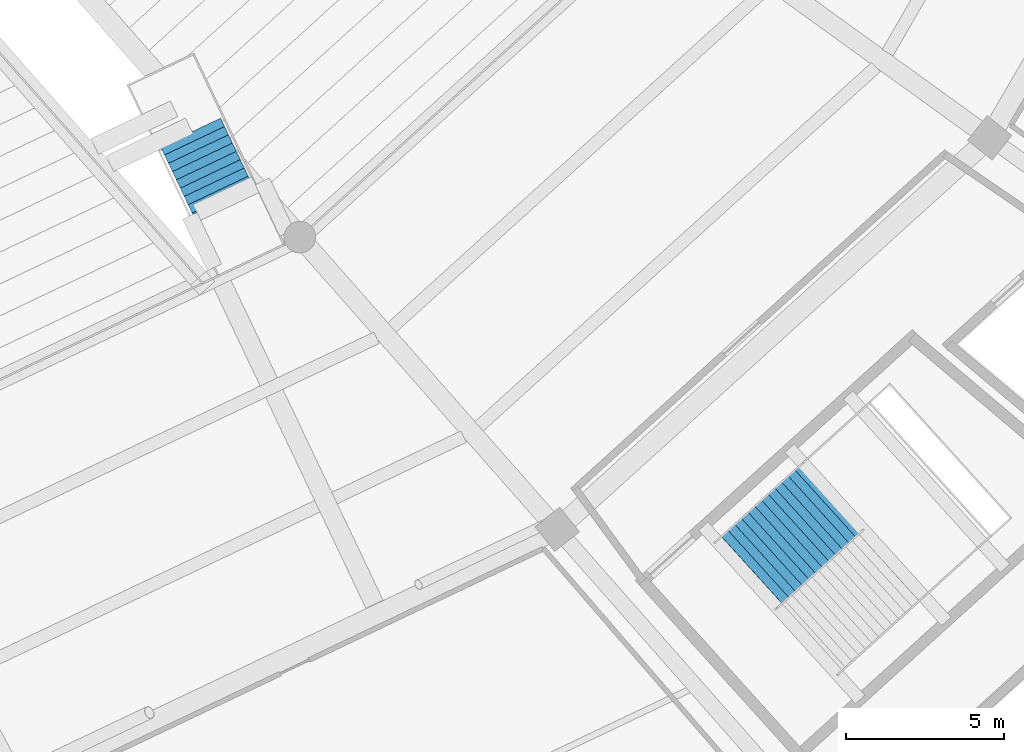
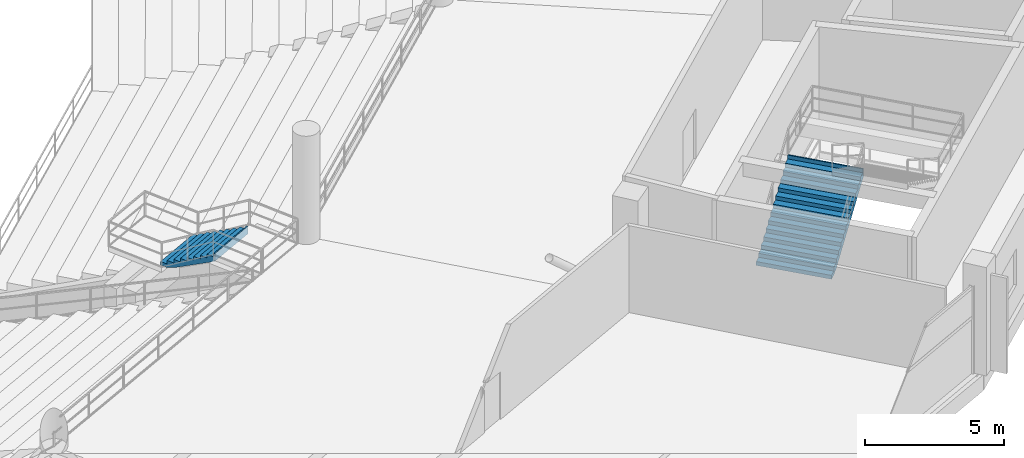
# One storey, part 126 of 156: 2 stair flights, 2 elements without a shape of their own.
"""IFC4 building model written with IfcOpenShell, lengths in metres."""

from ifc_helpers import new_model, si_unit, direction, frame, origin, place, context, subcontext, project, spatial, polygons, material, type_object, element, aggregate, save


model = new_model("IFC4")

# Units and contexts
model_context = context("Model", 3, precision=1e-05, world=origin(), true_north=direction((0.0, 1.0)))
body_context = subcontext(model_context, "Body", "Model", "MODEL_VIEW")
ifc_project = project(units=[si_unit("LENGTHUNIT", "METRE"), si_unit("AREAUNIT", "SQUARE_METRE"), si_unit("VOLUMEUNIT", "CUBIC_METRE"), si_unit("PLANEANGLEUNIT", "RADIAN"), si_unit("MASSUNIT", "GRAM", prefix="KILO")], contexts=[model_context])

# Site, building, storey
site_placement = place(None, origin())
site = spatial("IfcSite", under=ifc_project, at=site_placement, CompositionType="ELEMENT")
building_placement = place(site_placement, origin())
building = spatial("IfcBuilding", under=site, at=building_placement, Name="Kazemori Nagisa Stadium", CompositionType="ELEMENT")
storey_placement = place(building_placement, frame((0.0, 0.0, 5.780029296875)))
storey = spatial("IfcBuildingStorey", under=building, at=storey_placement, Name="L01", CompositionType="ELEMENT", Elevation=5.780029296875)

# Stair, stair flight
ifc_material = material(Name="Concrete C36/45 (Fc36)", Category="concrete")
stair_type_1 = type_object("IfcStairType", Name="Stair_CORE_28", PredefinedType="TWO_STRAIGHT_RUN_STAIR", material=ifc_material)
stair_1_placement = place(storey_placement, origin())
stair_1 = element("IfcStair", 1, at=stair_1_placement, inside=storey, type_object=stair_type_1, Name="Exit stair ST04 L01", PredefinedType="TWO_STRAIGHT_RUN_STAIR")
stair_flight_type_1 = type_object("IfcStairFlightType", Name="Flight_CORE_14", PredefinedType="STRAIGHT", material=ifc_material)
stair_flight_1_placement = place(storey_placement, frame((182.77587890625, 39.410400390625, 0.0), z_axis=(0.0, 0.0, 1.0), x_axis=(0.741324991793, 0.671146225903, 0.0)))
stair_flight_1 = element("IfcStairFlight", 2, at=stair_flight_1_placement, type_object=stair_flight_type_1, Name="Exit stair ST04 L01 flight 1", NumberOfRisers=14, NumberOfTreads=13, PredefinedType="STRAIGHT", RiserHeight=0.17, TreadLength=0.285, context=body_context, shape_type="Tessellation", body=[
    polygons([(0.0, -1.425048828125, 0.0), (0.0, -1.425048828125, 0.169921875), (0.284912109375, -1.425048828125, 0.169921875), (0.284912109375, -1.425048828125, 0.340087890625), (0.570068359375, -1.425048828125, 0.340087890625), (0.570068359375, -1.425048828125, 0.510009765625), (0.85498046875, -1.425048828125, 0.510009765625), (0.85498046875, -1.425048828125, 0.679931640625), (1.139892578125, -1.425048828125, 0.679931640625), (1.139892578125, -1.425048828125, 0.85009765625), (1.425048828125, -1.425048828125, 0.85009765625), (1.425048828125, -1.425048828125, 1.02001953125), (1.7099609375, -1.425048828125, 1.02001953125), (1.7099609375, -1.425048828125, 1.18994140625), (1.9951171875, -1.425048828125, 1.18994140625), (1.9951171875, -1.425048828125, 1.360107421875), (2.280029296875, -1.425048828125, 1.360107421875), (2.280029296875, -1.425048828125, 1.530029296875), (2.56494140625, -1.425048828125, 1.530029296875), (2.56494140625, -1.425048828125, 1.699951171875), (2.85009765625, -1.425048828125, 1.699951171875), (2.85009765625, -1.425048828125, 1.8701171875), (3.135009765625, -1.425048828125, 1.8701171875), (3.135009765625, -1.425048828125, 2.0400390625), (3.419921875, -1.425048828125, 2.0400390625), (3.419921875, -1.425048828125, 2.2099609375), (3.705078125, -1.425048828125, 2.2099609375), (3.705078125, -1.425048828125, 2.3798828125), (3.7548828125, -1.425048828125, 2.3798828125), (3.7548828125, -1.425048828125, 2.007080078125), (3.705078125, -1.425048828125, 1.977294921875), (3.419921875, -1.425048828125, 1.80712890625), (3.135009765625, -1.425048828125, 1.63720703125), (2.85009765625, -1.425048828125, 1.46728515625), (2.56494140625, -1.425048828125, 1.297119140625), (2.280029296875, -1.425048828125, 1.127197265625), (1.9951171875, -1.425048828125, 0.957275390625), (1.7099609375, -1.425048828125, 0.787109375), (1.425048828125, -1.425048828125, 0.6171875), (1.139892578125, -1.425048828125, 0.447265625), (0.85498046875, -1.425048828125, 0.277099609375), (0.570068359375, -1.425048828125, 0.107177734375), (0.284912109375, -1.425048828125, 0.0), (0.0, -0.08544921875, 0.0), (0.0, -0.08544921875, 0.169921875), (0.284912109375, -0.08544921875, 0.169921875), (0.284912109375, -0.08544921875, 0.340087890625), (0.570068359375, -0.08544921875, 0.340087890625), (0.570068359375, -0.08544921875, 0.510009765625), (0.85498046875, -0.08544921875, 0.510009765625), (0.85498046875, -0.08544921875, 0.679931640625), (1.139892578125, -0.08544921875, 0.679931640625), (1.139892578125, -0.08544921875, 0.85009765625), (1.425048828125, -0.08544921875, 0.85009765625), (1.425048828125, -0.08544921875, 1.02001953125), (1.7099609375, -0.08544921875, 1.02001953125), (1.7099609375, -0.08544921875, 1.18994140625), (1.9951171875, -0.08544921875, 1.18994140625), (1.9951171875, -0.08544921875, 1.360107421875), (2.280029296875, -0.08544921875, 1.360107421875), (2.280029296875, -0.08544921875, 1.530029296875), (2.56494140625, -0.08544921875, 1.530029296875), (2.56494140625, -0.08544921875, 1.699951171875), (2.85009765625, -0.08544921875, 1.699951171875), (2.85009765625, -0.08544921875, 1.8701171875), (3.135009765625, -0.08544921875, 1.8701171875), (3.135009765625, -0.08544921875, 2.0400390625), (3.419921875, -0.08544921875, 2.0400390625), (3.419921875, -0.08544921875, 2.2099609375), (3.705078125, -0.08544921875, 2.2099609375), (3.705078125, -0.08544921875, 2.3798828125), (3.7548828125, -0.08544921875, 2.3798828125), (3.7548828125, -0.08544921875, 2.007080078125), (3.705078125, -0.08544921875, 1.977294921875), (3.419921875, -0.08544921875, 1.80712890625), (3.135009765625, -0.08544921875, 1.63720703125), (2.85009765625, -0.08544921875, 1.46728515625), (2.56494140625, -0.08544921875, 1.297119140625), (2.280029296875, -0.08544921875, 1.127197265625), (1.9951171875, -0.08544921875, 0.957275390625), (1.7099609375, -0.08544921875, 0.787109375), (1.425048828125, -0.08544921875, 0.6171875), (1.139892578125, -0.08544921875, 0.447265625), (0.85498046875, -0.08544921875, 0.277099609375), (0.570068359375, -0.08544921875, 0.107177734375), (0.284912109375, -0.08544921875, 0.0), (0.0, 0.0, 0.0), (0.0, 0.0, 0.169921875), (0.284912109375, 0.0, 0.169921875), (0.284912109375, 0.0, 0.340087890625), (0.570068359375, 0.0, 0.340087890625), (0.570068359375, 0.0, 0.510009765625), (0.85498046875, 0.0, 0.510009765625), (0.85498046875, 0.0, 0.679931640625), (1.139892578125, 0.0, 0.679931640625), (1.139892578125, 0.0, 0.85009765625), (1.425048828125, 0.0, 0.85009765625), (1.425048828125, 0.0, 1.02001953125), (1.7099609375, 0.0, 1.02001953125), (1.7099609375, 0.0, 1.18994140625), (1.9951171875, 0.0, 1.18994140625), (1.9951171875, 0.0, 1.360107421875), (2.280029296875, 0.0, 1.360107421875), (2.280029296875, 0.0, 1.530029296875), (2.56494140625, 0.0, 1.530029296875), (2.56494140625, 0.0, 1.699951171875), (2.85009765625, 0.0, 1.699951171875), (2.85009765625, 0.0, 1.8701171875), (3.135009765625, 0.0, 1.8701171875), (3.135009765625, 0.0, 2.0400390625), (3.419921875, 0.0, 2.0400390625), (3.419921875, 0.0, 2.2099609375), (3.705078125, 0.0, 2.2099609375), (3.705078125, 0.0, 2.3798828125), (3.7548828125, 0.0, 2.3798828125), (3.7548828125, 0.0, 2.007080078125), (3.705078125, 0.0, 1.977294921875), (3.419921875, 0.0, 1.80712890625), (3.135009765625, 0.0, 1.63720703125), (2.85009765625, 0.0, 1.46728515625), (2.56494140625, 0.0, 1.297119140625), (2.280029296875, 0.0, 1.127197265625), (1.9951171875, 0.0, 0.957275390625), (1.7099609375, 0.0, 0.787109375), (1.425048828125, 0.0, 0.6171875), (1.139892578125, 0.0, 0.447265625), (0.85498046875, 0.0, 0.277099609375), (0.570068359375, 0.0, 0.107177734375), (0.284912109375, 0.0, 0.0), (0.0, 0.08544921875, 0.0), (0.0, 0.08544921875, 0.169921875), (0.284912109375, 0.08544921875, 0.169921875), (0.284912109375, 0.08544921875, 0.340087890625), (0.570068359375, 0.08544921875, 0.340087890625), (0.570068359375, 0.08544921875, 0.510009765625), (0.85498046875, 0.08544921875, 0.510009765625), (0.85498046875, 0.08544921875, 0.679931640625), (1.139892578125, 0.08544921875, 0.679931640625), (1.139892578125, 0.08544921875, 0.85009765625), (1.425048828125, 0.08544921875, 0.85009765625), (1.425048828125, 0.08544921875, 1.02001953125), (1.7099609375, 0.08544921875, 1.02001953125), (1.7099609375, 0.08544921875, 1.18994140625), (1.9951171875, 0.08544921875, 1.18994140625), (1.9951171875, 0.08544921875, 1.360107421875), (2.280029296875, 0.08544921875, 1.360107421875), (2.280029296875, 0.08544921875, 1.530029296875), (2.56494140625, 0.08544921875, 1.530029296875), (2.56494140625, 0.08544921875, 1.699951171875), (2.85009765625, 0.08544921875, 1.699951171875), (2.85009765625, 0.08544921875, 1.8701171875), (3.135009765625, 0.08544921875, 1.8701171875), (3.135009765625, 0.08544921875, 2.0400390625), (3.419921875, 0.08544921875, 2.0400390625), (3.419921875, 0.08544921875, 2.2099609375), (3.705078125, 0.08544921875, 2.2099609375), (3.705078125, 0.08544921875, 2.3798828125), (3.7548828125, 0.08544921875, 2.3798828125), (3.7548828125, 0.08544921875, 2.007080078125), (3.705078125, 0.08544921875, 1.977294921875), (3.419921875, 0.08544921875, 1.80712890625), (3.135009765625, 0.08544921875, 1.63720703125), (2.85009765625, 0.08544921875, 1.46728515625), (2.56494140625, 0.08544921875, 1.297119140625), (2.280029296875, 0.08544921875, 1.127197265625), (1.9951171875, 0.08544921875, 0.957275390625), (1.7099609375, 0.08544921875, 0.787109375), (1.425048828125, 0.08544921875, 0.6171875), (1.139892578125, 0.08544921875, 0.447265625), (0.85498046875, 0.08544921875, 0.277099609375), (0.570068359375, 0.08544921875, 0.107177734375), (0.284912109375, 0.08544921875, 0.0), (0.0, 1.425048828125, 0.0), (0.0, 1.425048828125, 0.169921875), (0.284912109375, 1.425048828125, 0.169921875), (0.284912109375, 1.425048828125, 0.340087890625), (0.570068359375, 1.425048828125, 0.340087890625), (0.570068359375, 1.425048828125, 0.510009765625), (0.85498046875, 1.425048828125, 0.510009765625), (0.85498046875, 1.425048828125, 0.679931640625), (1.139892578125, 1.425048828125, 0.679931640625), (1.139892578125, 1.425048828125, 0.85009765625), (1.425048828125, 1.425048828125, 0.85009765625), (1.425048828125, 1.425048828125, 1.02001953125), (1.7099609375, 1.425048828125, 1.02001953125), (1.7099609375, 1.425048828125, 1.18994140625), (1.9951171875, 1.425048828125, 1.18994140625), (1.9951171875, 1.425048828125, 1.360107421875), (2.280029296875, 1.425048828125, 1.360107421875), (2.280029296875, 1.425048828125, 1.530029296875), (2.56494140625, 1.425048828125, 1.530029296875), (2.56494140625, 1.425048828125, 1.699951171875), (2.85009765625, 1.425048828125, 1.699951171875), (2.85009765625, 1.425048828125, 1.8701171875), (3.135009765625, 1.425048828125, 1.8701171875), (3.135009765625, 1.425048828125, 2.0400390625), (3.419921875, 1.425048828125, 2.0400390625), (3.419921875, 1.425048828125, 2.2099609375), (3.705078125, 1.425048828125, 2.2099609375), (3.705078125, 1.425048828125, 2.3798828125), (3.7548828125, 1.425048828125, 2.3798828125), (3.7548828125, 1.425048828125, 2.007080078125), (3.705078125, 1.425048828125, 1.977294921875), (3.419921875, 1.425048828125, 1.80712890625), (3.135009765625, 1.425048828125, 1.63720703125), (2.85009765625, 1.425048828125, 1.46728515625), (2.56494140625, 1.425048828125, 1.297119140625), (2.280029296875, 1.425048828125, 1.127197265625), (1.9951171875, 1.425048828125, 0.957275390625), (1.7099609375, 1.425048828125, 0.787109375), (1.425048828125, 1.425048828125, 0.6171875), (1.139892578125, 1.425048828125, 0.447265625), (0.85498046875, 1.425048828125, 0.277099609375), (0.570068359375, 1.425048828125, 0.107177734375), (0.284912109375, 1.425048828125, 0.0)], [[[1, 2, 45]], [[1, 45, 44]], [[2, 3, 46]], [[2, 46, 45]], [[3, 4, 47]], [[3, 47, 46]], [[4, 5, 48]], [[4, 48, 47]], [[5, 6, 49]], [[5, 49, 48]], [[6, 7, 50]], [[6, 50, 49]], [[7, 8, 51]], [[7, 51, 50]], [[8, 9, 52]], [[8, 52, 51]], [[9, 10, 53]], [[9, 53, 52]], [[10, 11, 54]], [[10, 54, 53]], [[11, 12, 55]], [[11, 55, 54]], [[12, 13, 56]], [[12, 56, 55]], [[13, 14, 57]], [[13, 57, 56]], [[14, 15, 58]], [[14, 58, 57]], [[15, 16, 59]], [[15, 59, 58]], [[16, 17, 60]], [[16, 60, 59]], [[17, 18, 61]], [[17, 61, 60]], [[18, 19, 62]], [[18, 62, 61]], [[19, 20, 63]], [[19, 63, 62]], [[20, 21, 64]], [[20, 64, 63]], [[21, 22, 65]], [[21, 65, 64]], [[22, 23, 66]], [[22, 66, 65]], [[23, 24, 67]], [[23, 67, 66]], [[24, 25, 68]], [[24, 68, 67]], [[25, 26, 69]], [[25, 69, 68]], [[26, 27, 70]], [[26, 70, 69]], [[27, 28, 71]], [[27, 71, 70]], [[28, 29, 72]], [[28, 72, 71]], [[29, 30, 73]], [[29, 73, 72]], [[30, 31, 74]], [[30, 74, 73]], [[31, 32, 75]], [[31, 75, 74]], [[32, 33, 76]], [[32, 76, 75]], [[33, 34, 77]], [[33, 77, 76]], [[34, 35, 78]], [[34, 78, 77]], [[35, 36, 79]], [[35, 79, 78]], [[36, 37, 80]], [[36, 80, 79]], [[37, 38, 81]], [[37, 81, 80]], [[38, 39, 82]], [[38, 82, 81]], [[39, 40, 83]], [[39, 83, 82]], [[40, 41, 84]], [[40, 84, 83]], [[41, 42, 85]], [[41, 85, 84]], [[42, 43, 86]], [[42, 86, 85]], [[43, 1, 44]], [[43, 44, 86]], [[44, 45, 88]], [[44, 88, 87]], [[45, 46, 89]], [[45, 89, 88]], [[46, 47, 90]], [[46, 90, 89]], [[47, 48, 91]], [[47, 91, 90]], [[48, 49, 92]], [[48, 92, 91]], [[49, 50, 93]], [[49, 93, 92]], [[50, 51, 94]], [[50, 94, 93]], [[51, 52, 95]], [[51, 95, 94]], [[52, 53, 96]], [[52, 96, 95]], [[53, 54, 97]], [[53, 97, 96]], [[54, 55, 98]], [[54, 98, 97]], [[55, 56, 99]], [[55, 99, 98]], [[56, 57, 100]], [[56, 100, 99]], [[57, 58, 101]], [[57, 101, 100]], [[58, 59, 102]], [[58, 102, 101]], [[59, 60, 103]], [[59, 103, 102]], [[60, 61, 104]], [[60, 104, 103]], [[61, 62, 105]], [[61, 105, 104]], [[62, 63, 106]], [[62, 106, 105]], [[63, 64, 107]], [[63, 107, 106]], [[64, 65, 108]], [[64, 108, 107]], [[65, 66, 109]], [[65, 109, 108]], [[66, 67, 110]], [[66, 110, 109]], [[67, 68, 111]], [[67, 111, 110]], [[68, 69, 112]], [[68, 112, 111]], [[69, 70, 113]], [[69, 113, 112]], [[70, 71, 114]], [[70, 114, 113]], [[71, 72, 115]], [[71, 115, 114]], [[72, 73, 116]], [[72, 116, 115]], [[73, 74, 117]], [[73, 117, 116]], [[74, 75, 118]], [[74, 118, 117]], [[75, 76, 119]], [[75, 119, 118]], [[76, 77, 120]], [[76, 120, 119]], [[77, 78, 121]], [[77, 121, 120]], [[78, 79, 122]], [[78, 122, 121]], [[79, 80, 123]], [[79, 123, 122]], [[80, 81, 124]], [[80, 124, 123]], [[81, 82, 125]], [[81, 125, 124]], [[82, 83, 126]], [[82, 126, 125]], [[83, 84, 127]], [[83, 127, 126]], [[84, 85, 128]], [[84, 128, 127]], [[85, 86, 129]], [[85, 129, 128]], [[86, 44, 87]], [[86, 87, 129]], [[87, 88, 131]], [[87, 131, 130]], [[88, 89, 132]], [[88, 132, 131]], [[89, 90, 133]], [[89, 133, 132]], [[90, 91, 134]], [[90, 134, 133]], [[91, 92, 135]], [[91, 135, 134]], [[92, 93, 136]], [[92, 136, 135]], [[93, 94, 137]], [[93, 137, 136]], [[94, 95, 138]], [[94, 138, 137]], [[95, 96, 139]], [[95, 139, 138]], [[96, 97, 140]], [[96, 140, 139]], [[97, 98, 141]], [[97, 141, 140]], [[98, 99, 142]], [[98, 142, 141]], [[99, 100, 143]], [[99, 143, 142]], [[100, 101, 144]], [[100, 144, 143]], [[101, 102, 145]], [[101, 145, 144]], [[102, 103, 146]], [[102, 146, 145]], [[103, 104, 147]], [[103, 147, 146]], [[104, 105, 148]], [[104, 148, 147]], [[105, 106, 149]], [[105, 149, 148]], [[106, 107, 150]], [[106, 150, 149]], [[107, 108, 151]], [[107, 151, 150]], [[108, 109, 152]], [[108, 152, 151]], [[109, 110, 153]], [[109, 153, 152]], [[110, 111, 154]], [[110, 154, 153]], [[111, 112, 155]], [[111, 155, 154]], [[112, 113, 156]], [[112, 156, 155]], [[113, 114, 157]], [[113, 157, 156]], [[114, 115, 158]], [[114, 158, 157]], [[115, 116, 159]], [[115, 159, 158]], [[116, 117, 160]], [[116, 160, 159]], [[117, 118, 161]], [[117, 161, 160]], [[118, 119, 162]], [[118, 162, 161]], [[119, 120, 163]], [[119, 163, 162]], [[120, 121, 164]], [[120, 164, 163]], [[121, 122, 165]], [[121, 165, 164]], [[122, 123, 166]], [[122, 166, 165]], [[123, 124, 167]], [[123, 167, 166]], [[124, 125, 168]], [[124, 168, 167]], [[125, 126, 169]], [[125, 169, 168]], [[126, 127, 170]], [[126, 170, 169]], [[127, 128, 171]], [[127, 171, 170]], [[128, 129, 172]], [[128, 172, 171]], [[129, 87, 130]], [[129, 130, 172]], [[130, 131, 174]], [[130, 174, 173]], [[131, 132, 175]], [[131, 175, 174]], [[132, 133, 176]], [[132, 176, 175]], [[133, 134, 177]], [[133, 177, 176]], [[134, 135, 178]], [[134, 178, 177]], [[135, 136, 179]], [[135, 179, 178]], [[136, 137, 180]], [[136, 180, 179]], [[137, 138, 181]], [[137, 181, 180]], [[138, 139, 182]], [[138, 182, 181]], [[139, 140, 183]], [[139, 183, 182]], [[140, 141, 184]], [[140, 184, 183]], [[141, 142, 185]], [[141, 185, 184]], [[142, 143, 186]], [[142, 186, 185]], [[143, 144, 187]], [[143, 187, 186]], [[144, 145, 188]], [[144, 188, 187]], [[145, 146, 189]], [[145, 189, 188]], [[146, 147, 190]], [[146, 190, 189]], [[147, 148, 191]], [[147, 191, 190]], [[148, 149, 192]], [[148, 192, 191]], [[149, 150, 193]], [[149, 193, 192]], [[150, 151, 194]], [[150, 194, 193]], [[151, 152, 195]], [[151, 195, 194]], [[152, 153, 196]], [[152, 196, 195]], [[153, 154, 197]], [[153, 197, 196]], [[154, 155, 198]], [[154, 198, 197]], [[155, 156, 199]], [[155, 199, 198]], [[156, 157, 200]], [[156, 200, 199]], [[157, 158, 201]], [[157, 201, 200]], [[158, 159, 202]], [[158, 202, 201]], [[159, 160, 203]], [[159, 203, 202]], [[160, 161, 204]], [[160, 204, 203]], [[161, 162, 205]], [[161, 205, 204]], [[162, 163, 206]], [[162, 206, 205]], [[163, 164, 207]], [[163, 207, 206]], [[164, 165, 208]], [[164, 208, 207]], [[165, 166, 209]], [[165, 209, 208]], [[166, 167, 210]], [[166, 210, 209]], [[167, 168, 211]], [[167, 211, 210]], [[168, 169, 212]], [[168, 212, 211]], [[169, 170, 213]], [[169, 213, 212]], [[170, 171, 214]], [[170, 214, 213]], [[171, 172, 215]], [[171, 215, 214]], [[172, 130, 173]], [[172, 173, 215]], [[3, 2, 1]], [[173, 174, 175]], [[43, 3, 1]], [[173, 175, 215]], [[42, 3, 43]], [[215, 175, 214]], [[5, 3, 42]], [[214, 175, 177]], [[5, 4, 3]], [[175, 176, 177]], [[41, 5, 42]], [[214, 177, 213]], [[7, 5, 41]], [[213, 177, 179]], [[7, 6, 5]], [[177, 178, 179]], [[40, 7, 41]], [[213, 179, 212]], [[9, 7, 40]], [[212, 179, 181]], [[9, 8, 7]], [[179, 180, 181]], [[39, 9, 40]], [[212, 181, 211]], [[11, 9, 39]], [[211, 181, 183]], [[11, 10, 9]], [[181, 182, 183]], [[38, 11, 39]], [[211, 183, 210]], [[13, 11, 38]], [[210, 183, 185]], [[13, 12, 11]], [[183, 184, 185]], [[37, 13, 38]], [[210, 185, 209]], [[15, 13, 37]], [[209, 185, 187]], [[15, 14, 13]], [[185, 186, 187]], [[36, 15, 37]], [[209, 187, 208]], [[17, 15, 36]], [[208, 187, 189]], [[17, 16, 15]], [[187, 188, 189]], [[35, 17, 36]], [[208, 189, 207]], [[19, 17, 35]], [[207, 189, 191]], [[19, 18, 17]], [[189, 190, 191]], [[34, 19, 35]], [[207, 191, 206]], [[21, 19, 34]], [[206, 191, 193]], [[21, 20, 19]], [[191, 192, 193]], [[33, 21, 34]], [[206, 193, 205]], [[23, 21, 33]], [[205, 193, 195]], [[23, 22, 21]], [[193, 194, 195]], [[32, 23, 33]], [[205, 195, 204]], [[25, 23, 32]], [[204, 195, 197]], [[25, 24, 23]], [[195, 196, 197]], [[31, 25, 32]], [[204, 197, 203]], [[27, 25, 31]], [[203, 197, 199]], [[27, 26, 25]], [[197, 198, 199]], [[30, 27, 31]], [[203, 199, 202]], [[29, 27, 30]], [[202, 199, 201]], [[29, 28, 27]], [[199, 200, 201]]], closed=True),
])
aggregate(stair_1, [stair_flight_1])

stair_type_2 = type_object("IfcStairType", Name="Stair_VOM_VL", PredefinedType="STRAIGHT_RUN_STAIR", material=ifc_material)
stair_2_placement = place(storey_placement, origin())
stair_2 = element("IfcStair", 3, at=stair_2_placement, inside=storey, type_object=stair_type_2, Name="Vomitory stair lower VL10", PredefinedType="STRAIGHT_RUN_STAIR")
stair_flight_type_2 = type_object("IfcStairFlightType", Name="Flight_VOM_VL", PredefinedType="STRAIGHT", material=ifc_material)
stair_flight_2_placement = place(storey_placement, frame((165.24267578125, 53.434814453125, -1.43994140625), z_axis=(0.0, 0.0, 1.0), x_axis=(0.429149114486, -0.903233656113, 0.0)))
stair_flight_2 = element("IfcStairFlight", 4, at=stair_flight_2_placement, type_object=stair_flight_type_2, Name="Vomitory stair lower VL10 flight", NumberOfRisers=9, NumberOfTreads=8, PredefinedType="STRAIGHT", RiserHeight=0.16, TreadLength=0.29, context=body_context, shape_type="Tessellation", body=[
    polygons([(0.0, -1.050048828125, 0.0), (0.0, -1.050048828125, 0.159912109375), (0.2900390625, -1.050048828125, 0.159912109375), (0.2900390625, -1.050048828125, 0.320068359375), (0.580078125, -1.050048828125, 0.320068359375), (0.580078125, -1.050048828125, 0.47998046875), (0.8701171875, -1.050048828125, 0.47998046875), (0.8701171875, -1.050048828125, 0.639892578125), (1.159912109375, -1.050048828125, 0.639892578125), (1.159912109375, -1.050048828125, 0.800048828125), (1.449951171875, -1.050048828125, 0.800048828125), (1.449951171875, -1.050048828125, 0.9599609375), (1.739990234375, -1.050048828125, 0.9599609375), (1.739990234375, -1.050048828125, 1.1201171875), (2.030029296875, -1.050048828125, 1.1201171875), (2.030029296875, -1.050048828125, 1.280029296875), (2.320068359375, -1.050048828125, 1.280029296875), (2.320068359375, -1.050048828125, 1.43994140625), (2.3701171875, -1.050048828125, 1.43994140625), (2.3701171875, -1.050048828125, 1.10205078125), (2.320068359375, -1.050048828125, 1.074462890625), (2.030029296875, -1.050048828125, 0.91455078125), (1.739990234375, -1.050048828125, 0.75439453125), (1.449951171875, -1.050048828125, 0.594482421875), (1.159912109375, -1.050048828125, 0.4345703125), (0.8701171875, -1.050048828125, 0.2744140625), (0.580078125, -1.050048828125, 0.114501953125), (0.2900390625, -1.050048828125, 0.0), (0.0, -0.06298828125, 0.0), (0.0, -0.06298828125, 0.159912109375), (0.2900390625, -0.06298828125, 0.159912109375), (0.2900390625, -0.06298828125, 0.320068359375), (0.580078125, -0.06298828125, 0.320068359375), (0.580078125, -0.06298828125, 0.47998046875), (0.8701171875, -0.06298828125, 0.47998046875), (0.8701171875, -0.06298828125, 0.639892578125), (1.159912109375, -0.06298828125, 0.639892578125), (1.159912109375, -0.06298828125, 0.800048828125), (1.449951171875, -0.06298828125, 0.800048828125), (1.449951171875, -0.06298828125, 0.9599609375), (1.739990234375, -0.06298828125, 0.9599609375), (1.739990234375, -0.06298828125, 1.1201171875), (2.030029296875, -0.06298828125, 1.1201171875), (2.030029296875, -0.06298828125, 1.280029296875), (2.320068359375, -0.06298828125, 1.280029296875), (2.320068359375, -0.06298828125, 1.43994140625), (2.3701171875, -0.06298828125, 1.43994140625), (2.3701171875, -0.06298828125, 1.10205078125), (2.320068359375, -0.06298828125, 1.074462890625), (2.030029296875, -0.06298828125, 0.91455078125), (1.739990234375, -0.06298828125, 0.75439453125), (1.449951171875, -0.06298828125, 0.594482421875), (1.159912109375, -0.06298828125, 0.4345703125), (0.8701171875, -0.06298828125, 0.2744140625), (0.580078125, -0.06298828125, 0.114501953125), (0.2900390625, -0.06298828125, 0.0), (0.0, 0.0, 0.0), (0.0, 0.0, 0.159912109375), (0.2900390625, 0.0, 0.159912109375), (0.2900390625, 0.0, 0.320068359375), (0.580078125, 0.0, 0.320068359375), (0.580078125, 0.0, 0.47998046875), (0.8701171875, 0.0, 0.47998046875), (0.8701171875, 0.0, 0.639892578125), (1.159912109375, 0.0, 0.639892578125), (1.159912109375, 0.0, 0.800048828125), (1.449951171875, 0.0, 0.800048828125), (1.449951171875, 0.0, 0.9599609375), (1.739990234375, 0.0, 0.9599609375), (1.739990234375, 0.0, 1.1201171875), (2.030029296875, 0.0, 1.1201171875), (2.030029296875, 0.0, 1.280029296875), (2.320068359375, 0.0, 1.280029296875), (2.320068359375, 0.0, 1.43994140625), (2.3701171875, 0.0, 1.43994140625), (2.3701171875, 0.0, 1.10205078125), (2.320068359375, 0.0, 1.074462890625), (2.030029296875, 0.0, 0.91455078125), (1.739990234375, 0.0, 0.75439453125), (1.449951171875, 0.0, 0.594482421875), (1.159912109375, 0.0, 0.4345703125), (0.8701171875, 0.0, 0.2744140625), (0.580078125, 0.0, 0.114501953125), (0.2900390625, 0.0, 0.0), (0.0, 0.06298828125, 0.0), (0.0, 0.06298828125, 0.159912109375), (0.2900390625, 0.06298828125, 0.159912109375), (0.2900390625, 0.06298828125, 0.320068359375), (0.580078125, 0.06298828125, 0.320068359375), (0.580078125, 0.06298828125, 0.47998046875), (0.8701171875, 0.06298828125, 0.47998046875), (0.8701171875, 0.06298828125, 0.639892578125), (1.159912109375, 0.06298828125, 0.639892578125), (1.159912109375, 0.06298828125, 0.800048828125), (1.449951171875, 0.06298828125, 0.800048828125), (1.449951171875, 0.06298828125, 0.9599609375), (1.739990234375, 0.06298828125, 0.9599609375), (1.739990234375, 0.06298828125, 1.1201171875), (2.030029296875, 0.06298828125, 1.1201171875), (2.030029296875, 0.06298828125, 1.280029296875), (2.320068359375, 0.06298828125, 1.280029296875), (2.320068359375, 0.06298828125, 1.43994140625), (2.3701171875, 0.06298828125, 1.43994140625), (2.3701171875, 0.06298828125, 1.10205078125), (2.320068359375, 0.06298828125, 1.074462890625), (2.030029296875, 0.06298828125, 0.91455078125), (1.739990234375, 0.06298828125, 0.75439453125), (1.449951171875, 0.06298828125, 0.594482421875), (1.159912109375, 0.06298828125, 0.4345703125), (0.8701171875, 0.06298828125, 0.2744140625), (0.580078125, 0.06298828125, 0.114501953125), (0.2900390625, 0.06298828125, 0.0), (0.0, 1.050048828125, 0.0), (0.0, 1.050048828125, 0.159912109375), (0.2900390625, 1.050048828125, 0.159912109375), (0.2900390625, 1.050048828125, 0.320068359375), (0.580078125, 1.050048828125, 0.320068359375), (0.580078125, 1.050048828125, 0.47998046875), (0.8701171875, 1.050048828125, 0.47998046875), (0.8701171875, 1.050048828125, 0.639892578125), (1.159912109375, 1.050048828125, 0.639892578125), (1.159912109375, 1.050048828125, 0.800048828125), (1.449951171875, 1.050048828125, 0.800048828125), (1.449951171875, 1.050048828125, 0.9599609375), (1.739990234375, 1.050048828125, 0.9599609375), (1.739990234375, 1.050048828125, 1.1201171875), (2.030029296875, 1.050048828125, 1.1201171875), (2.030029296875, 1.050048828125, 1.280029296875), (2.320068359375, 1.050048828125, 1.280029296875), (2.320068359375, 1.050048828125, 1.43994140625), (2.3701171875, 1.050048828125, 1.43994140625), (2.3701171875, 1.050048828125, 1.10205078125), (2.320068359375, 1.050048828125, 1.074462890625), (2.030029296875, 1.050048828125, 0.91455078125), (1.739990234375, 1.050048828125, 0.75439453125), (1.449951171875, 1.050048828125, 0.594482421875), (1.159912109375, 1.050048828125, 0.4345703125), (0.8701171875, 1.050048828125, 0.2744140625), (0.580078125, 1.050048828125, 0.114501953125), (0.2900390625, 1.050048828125, 0.0)], [[[1, 2, 30]], [[1, 30, 29]], [[2, 3, 31]], [[2, 31, 30]], [[3, 4, 32]], [[3, 32, 31]], [[4, 5, 33]], [[4, 33, 32]], [[5, 6, 34]], [[5, 34, 33]], [[6, 7, 35]], [[6, 35, 34]], [[7, 8, 36]], [[7, 36, 35]], [[8, 9, 37]], [[8, 37, 36]], [[9, 10, 38]], [[9, 38, 37]], [[10, 11, 39]], [[10, 39, 38]], [[11, 12, 40]], [[11, 40, 39]], [[12, 13, 41]], [[12, 41, 40]], [[13, 14, 42]], [[13, 42, 41]], [[14, 15, 43]], [[14, 43, 42]], [[15, 16, 44]], [[15, 44, 43]], [[16, 17, 45]], [[16, 45, 44]], [[17, 18, 46]], [[17, 46, 45]], [[18, 19, 47]], [[18, 47, 46]], [[19, 20, 48]], [[19, 48, 47]], [[20, 21, 49]], [[20, 49, 48]], [[21, 22, 50]], [[21, 50, 49]], [[22, 23, 51]], [[22, 51, 50]], [[23, 24, 52]], [[23, 52, 51]], [[24, 25, 53]], [[24, 53, 52]], [[25, 26, 54]], [[25, 54, 53]], [[26, 27, 55]], [[26, 55, 54]], [[27, 28, 56]], [[27, 56, 55]], [[28, 1, 29]], [[28, 29, 56]], [[29, 30, 58]], [[29, 58, 57]], [[30, 31, 59]], [[30, 59, 58]], [[31, 32, 60]], [[31, 60, 59]], [[32, 33, 61]], [[32, 61, 60]], [[33, 34, 62]], [[33, 62, 61]], [[34, 35, 63]], [[34, 63, 62]], [[35, 36, 64]], [[35, 64, 63]], [[36, 37, 65]], [[36, 65, 64]], [[37, 38, 66]], [[37, 66, 65]], [[38, 39, 67]], [[38, 67, 66]], [[39, 40, 68]], [[39, 68, 67]], [[40, 41, 69]], [[40, 69, 68]], [[41, 42, 70]], [[41, 70, 69]], [[42, 43, 71]], [[42, 71, 70]], [[43, 44, 72]], [[43, 72, 71]], [[44, 45, 73]], [[44, 73, 72]], [[45, 46, 74]], [[45, 74, 73]], [[46, 47, 75]], [[46, 75, 74]], [[47, 48, 76]], [[47, 76, 75]], [[48, 49, 77]], [[48, 77, 76]], [[49, 50, 78]], [[49, 78, 77]], [[50, 51, 79]], [[50, 79, 78]], [[51, 52, 80]], [[51, 80, 79]], [[52, 53, 81]], [[52, 81, 80]], [[53, 54, 82]], [[53, 82, 81]], [[54, 55, 83]], [[54, 83, 82]], [[55, 56, 84]], [[55, 84, 83]], [[56, 29, 57]], [[56, 57, 84]], [[57, 58, 86]], [[57, 86, 85]], [[58, 59, 87]], [[58, 87, 86]], [[59, 60, 88]], [[59, 88, 87]], [[60, 61, 89]], [[60, 89, 88]], [[61, 62, 90]], [[61, 90, 89]], [[62, 63, 91]], [[62, 91, 90]], [[63, 64, 92]], [[63, 92, 91]], [[64, 65, 93]], [[64, 93, 92]], [[65, 66, 94]], [[65, 94, 93]], [[66, 67, 95]], [[66, 95, 94]], [[67, 68, 96]], [[67, 96, 95]], [[68, 69, 97]], [[68, 97, 96]], [[69, 70, 98]], [[69, 98, 97]], [[70, 71, 99]], [[70, 99, 98]], [[71, 72, 100]], [[71, 100, 99]], [[72, 73, 101]], [[72, 101, 100]], [[73, 74, 102]], [[73, 102, 101]], [[74, 75, 103]], [[74, 103, 102]], [[75, 76, 104]], [[75, 104, 103]], [[76, 77, 105]], [[76, 105, 104]], [[77, 78, 106]], [[77, 106, 105]], [[78, 79, 107]], [[78, 107, 106]], [[79, 80, 108]], [[79, 108, 107]], [[80, 81, 109]], [[80, 109, 108]], [[81, 82, 110]], [[81, 110, 109]], [[82, 83, 111]], [[82, 111, 110]], [[83, 84, 112]], [[83, 112, 111]], [[84, 57, 85]], [[84, 85, 112]], [[85, 86, 114]], [[85, 114, 113]], [[86, 87, 115]], [[86, 115, 114]], [[87, 88, 116]], [[87, 116, 115]], [[88, 89, 117]], [[88, 117, 116]], [[89, 90, 118]], [[89, 118, 117]], [[90, 91, 119]], [[90, 119, 118]], [[91, 92, 120]], [[91, 120, 119]], [[92, 93, 121]], [[92, 121, 120]], [[93, 94, 122]], [[93, 122, 121]], [[94, 95, 123]], [[94, 123, 122]], [[95, 96, 124]], [[95, 124, 123]], [[96, 97, 125]], [[96, 125, 124]], [[97, 98, 126]], [[97, 126, 125]], [[98, 99, 127]], [[98, 127, 126]], [[99, 100, 128]], [[99, 128, 127]], [[100, 101, 129]], [[100, 129, 128]], [[101, 102, 130]], [[101, 130, 129]], [[102, 103, 131]], [[102, 131, 130]], [[103, 104, 132]], [[103, 132, 131]], [[104, 105, 133]], [[104, 133, 132]], [[105, 106, 134]], [[105, 134, 133]], [[106, 107, 135]], [[106, 135, 134]], [[107, 108, 136]], [[107, 136, 135]], [[108, 109, 137]], [[108, 137, 136]], [[109, 110, 138]], [[109, 138, 137]], [[110, 111, 139]], [[110, 139, 138]], [[111, 112, 140]], [[111, 140, 139]], [[112, 85, 113]], [[112, 113, 140]], [[3, 2, 1]], [[113, 114, 115]], [[28, 3, 1]], [[113, 115, 140]], [[27, 3, 28]], [[140, 115, 139]], [[5, 3, 27]], [[139, 115, 117]], [[5, 4, 3]], [[115, 116, 117]], [[26, 5, 27]], [[139, 117, 138]], [[7, 5, 26]], [[138, 117, 119]], [[7, 6, 5]], [[117, 118, 119]], [[25, 7, 26]], [[138, 119, 137]], [[9, 7, 25]], [[137, 119, 121]], [[9, 8, 7]], [[119, 120, 121]], [[24, 9, 25]], [[137, 121, 136]], [[11, 9, 24]], [[136, 121, 123]], [[11, 10, 9]], [[121, 122, 123]], [[23, 11, 24]], [[136, 123, 135]], [[13, 11, 23]], [[135, 123, 125]], [[13, 12, 11]], [[123, 124, 125]], [[22, 13, 23]], [[135, 125, 134]], [[15, 13, 22]], [[134, 125, 127]], [[15, 14, 13]], [[125, 126, 127]], [[21, 15, 22]], [[134, 127, 133]], [[17, 15, 21]], [[133, 127, 129]], [[17, 16, 15]], [[127, 128, 129]], [[20, 17, 21]], [[133, 129, 132]], [[19, 17, 20]], [[132, 129, 131]], [[19, 18, 17]], [[129, 130, 131]]], closed=True),
])
aggregate(stair_2, [stair_flight_2])

save(model, "model.ifc")
